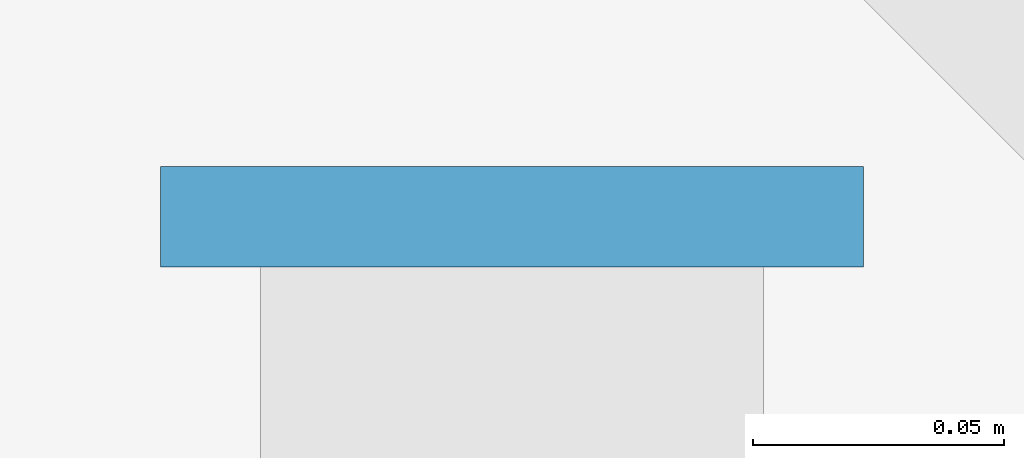
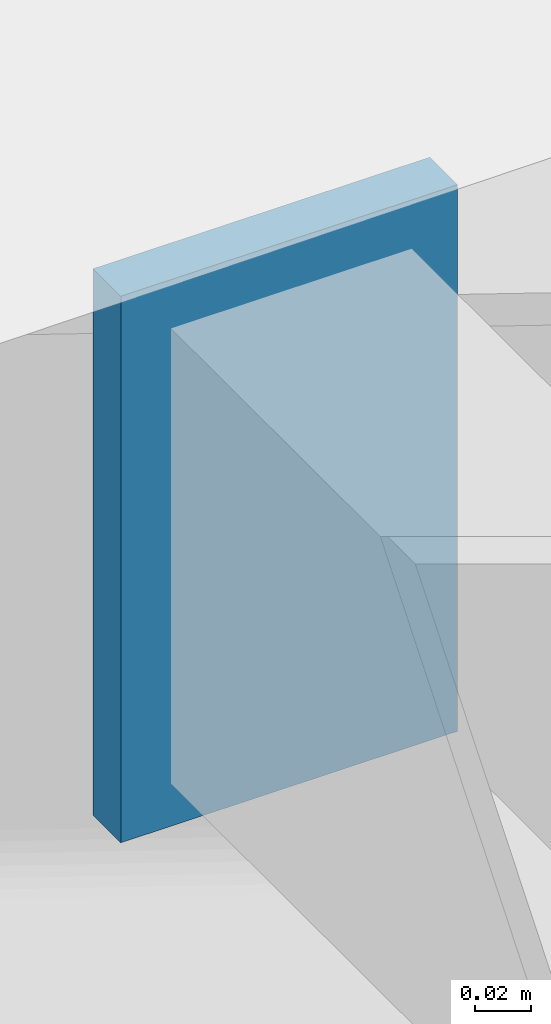
# One storey, part 20 of 28: 1 plate.
"""IFC4 building model written with IfcOpenShell, lengths in metres."""

from ifc_helpers import new_model, si_unit, direction, frame, origin, origin_2d, place, context, subcontext, project, spatial, rectangle, extrude, source, transform, mapped, material, layer, layer_set, type_object, element, save


model = new_model("IFC4")

# Units and contexts
model_context = context("Model", 3, precision=1e-05, world=origin(), true_north=direction((0.0, 1.0)))
body_context = subcontext(model_context, "Body", "Model", "MODEL_VIEW")
ifc_project = project(units=[si_unit("LENGTHUNIT", "METRE"), si_unit("AREAUNIT", "SQUARE_METRE"), si_unit("VOLUMEUNIT", "CUBIC_METRE"), si_unit("PLANEANGLEUNIT", "RADIAN"), si_unit("MASSUNIT", "GRAM", prefix="KILO"), si_unit("THERMODYNAMICTEMPERATUREUNIT", "KELVIN"), si_unit("POWERUNIT", "WATT")], contexts=[model_context])

# Site, building, storey
site_placement = place(None, origin())
site = spatial("IfcSite", under=ifc_project, at=site_placement, CompositionType="ELEMENT")
building_placement = place(site_placement, origin())
building = spatial("IfcBuilding", under=site, at=building_placement, Name="Qiaomeng Ring Towers", CompositionType="ELEMENT")
storey_placement = place(building_placement, frame((0.0, 0.0, 113.25)))
storey = spatial("IfcBuildingStorey", under=building, at=storey_placement, Name="L32", CompositionType="ELEMENT", Elevation=113.25)

# Plate
ifc_material = material(Name="Steel Q355B", Category="steel")
ifc_layer = layer(ifc_material, 0.02001953125, Name="Steel Q355B")
ifc_layer_set = layer_set([ifc_layer], Name="Steel Q355B")
plate_type = type_object("IfcPlateType", Name="STR-PL-CAP", PredefinedType="USERDEFINED", material=ifc_layer_set)
shared_shape = source(origin(), body_context, "Body", "SweptSolid", [
    extrude(rectangle(XDim=0.139892578125, YDim=0.02001953125, at=origin_2d()), origin(), (0.0, 0.0, 1.0), 0.239990234375),
])
plate_placement = place(storey_placement, frame((69.0, 34.159912109375, 6.42041015625), z_axis=(0.0, 0.0, 1.0), x_axis=(1.0, 0.0, 0.0)))
element("IfcPlate", 1, at=plate_placement, inside=storey, type_object=plate_type, Name="Companion Crown Roof Purlin 4 End Cap Plate N", ObjectType="END CAP PLATE", PredefinedType="USERDEFINED", context=body_context, shape_type="MappedRepresentation", body=[
    mapped(shared_shape, transform((0.0, 0.0, 0.0), x_axis=(1.0, 0.0, 0.0), y_axis=(0.0, 1.0, 0.0), z_axis=(0.0, 0.0, 1.0), scale=1.0)),
])

save(model, "model.ifc")
